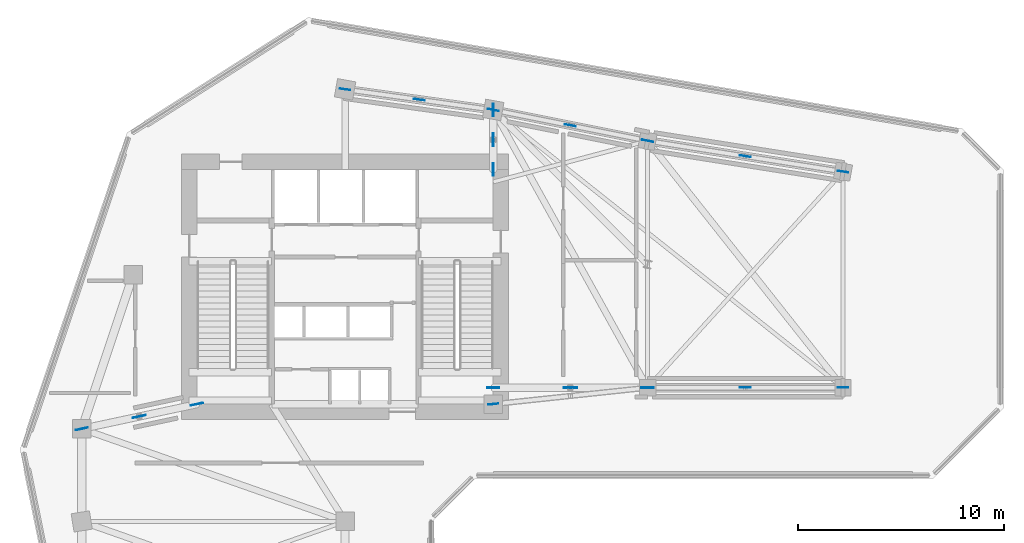
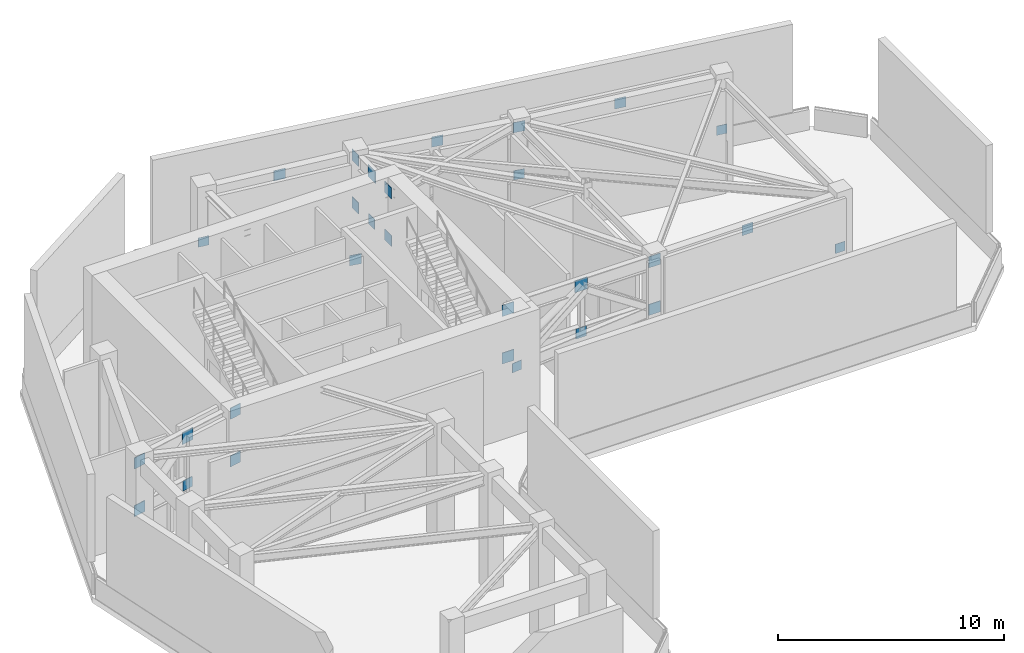
# One storey, part 5 of 10: 29 plates.
"""IFC4 building model written with IfcOpenShell, lengths in metres."""

import ifcopenshell
import ifcopenshell.guid

model = None  # the IFC model being written
_history = None  # IfcOwnerHistory: only IFC2X3 demands one
_inside = {}  # id of a spatial element -> (the spatial element, [elements in it])
_under = {}  # id of a project, library or spatial element -> (it, [spatial elements below it])
_declared = {}  # id of a project -> (the project, [libraries it declares])
_typed = {}  # id of a type object -> (the type object, [elements of that type])
_made_of = {}  # id of a material, layer set ... -> (it, [elements and type objects made of it])


def new_model(schema):
    """Start an empty IFC model of exactly this schema.

    Asked for "IFC4X3", IfcOpenShell would pick the latest addendum, in which some entities
    have other attributes; the version numbers below select the first issue.
    IFC2X3 requires an IfcOwnerHistory on every rooted entity: one is made here for all.
    """
    global model, _history
    if schema == "IFC4X3":
        model = ifcopenshell.file(schema_version=(4, 3, 0, 0))
    else:
        model = ifcopenshell.file(schema=schema)
    _inside.clear()
    _under.clear()
    _declared.clear()
    _typed.clear()
    _made_of.clear()
    _history = None
    if model.schema == "IFC2X3":
        org = make("IfcOrganization", Name="unknown")
        user = make(
            "IfcPersonAndOrganization",
            ThePerson=make("IfcPerson", FamilyName="unknown"),
            TheOrganization=org,
        )
        app = make(
            "IfcApplication",
            ApplicationDeveloper=org,
            Version="unknown",
            ApplicationFullName="unknown",
            ApplicationIdentifier="unknown",
        )
        _history = make(
            "IfcOwnerHistory",
            OwningUser=user,
            OwningApplication=app,
            ChangeAction="ADDED",
            CreationDate=0,
        )
    return model


def make(cls, **values):
    """One entity of the class cls with the attributes given. An attribute that is None is left unset."""
    return model.create_entity(
        cls, **{name: value for name, value in values.items() if value is not None}
    )


def rooted(cls, **values):
    """An entity with a GlobalId (a new one), such as an element, a storey or a relation."""
    return make(cls, GlobalId=ifcopenshell.guid.new(), OwnerHistory=_history, **values)


def si_unit(unit_type, name, prefix=None):
    """IfcSIUnit, for example si_unit("LENGTHUNIT", "METRE", prefix="MILLI")."""
    return make("IfcSIUnit", UnitType=unit_type, Prefix=prefix, Name=name)


def assignment(units):
    """IfcUnitAssignment: the units of a project."""
    return None if units is None else make("IfcUnitAssignment", Units=units)


def point(xyz):
    """IfcCartesianPoint."""
    return None if xyz is None else make("IfcCartesianPoint", Coordinates=xyz)


def direction(xyz):
    """IfcDirection."""
    return None if xyz is None else make("IfcDirection", DirectionRatios=xyz)


def frame(location, z_axis=None, x_axis=None):
    """IfcAxis2Placement3D, a coordinate frame: its origin and axes. An axis left out is left unset."""
    return make(
        "IfcAxis2Placement3D",
        Location=point(location),
        Axis=direction(z_axis),
        RefDirection=direction(x_axis),
    )


def frame_2d(location, x_axis=None):
    """IfcAxis2Placement2D, a coordinate frame in the plane: its origin and x axis."""
    return make(
        "IfcAxis2Placement2D", Location=point(location), RefDirection=direction(x_axis)
    )


def origin():
    """The frame at (0, 0, 0) with its axes left unset."""
    return frame((0.0, 0.0, 0.0))


def origin_2d():
    """The frame at (0, 0) in the plane with its x axis left unset."""
    return frame_2d((0.0, 0.0))


def place(relative_to, where):
    """IfcLocalPlacement: puts the frame where relative to a parent placement (None: the world)."""
    return make(
        "IfcLocalPlacement", PlacementRelTo=relative_to, RelativePlacement=where
    )


def context(
    kind, dimensions, precision=None, world=None, true_north=None, identifier=None
):
    """IfcGeometricRepresentationContext, for example the 3D "Model" context."""
    return make(
        "IfcGeometricRepresentationContext",
        ContextIdentifier=identifier,
        ContextType=kind,
        CoordinateSpaceDimension=dimensions,
        Precision=precision,
        WorldCoordinateSystem=world,
        TrueNorth=true_north,
    )


def subcontext(parent, identifier, kind, view, scale=None):
    """IfcGeometricRepresentationSubContext, for example "Body" below "Model"."""
    return make(
        "IfcGeometricRepresentationSubContext",
        ContextIdentifier=identifier,
        ContextType=kind,
        ParentContext=parent,
        TargetScale=scale,
        TargetView=view,
    )


def project(units=None, contexts=None):
    """IfcProject with its units and contexts."""
    return rooted(
        "IfcProject",
        Name="project",
        RepresentationContexts=contexts,
        UnitsInContext=assignment(units),
    )


def spatial(cls, under=None, at=None, **own):
    """A site, building, storey or space (cls), placed at a placement, below another one or the project."""
    s = rooted(cls, ObjectPlacement=at, **own)
    if under is not None:
        _under.setdefault(under.id(), (under, []))[1].append(s)
    return s


def profile(cls, at=None, kind="AREA", **sizes):
    """A parametric profile (cls). Its sizes go by their IFC names, for example OverallWidth=200.0."""
    return make(cls, ProfileType=kind, Position=at, **sizes)


def rectangle(**sizes):
    """IfcRectangleProfileDef."""
    return profile("IfcRectangleProfileDef", **sizes)


def extrude(swept, where, along, depth):
    """IfcExtrudedAreaSolid: the profile swept, set in the frame where, extruded along a direction by depth."""
    return make(
        "IfcExtrudedAreaSolid",
        SweptArea=swept,
        Position=where,
        ExtrudedDirection=direction(along),
        Depth=depth,
    )


def shape(context_of_items, identifier, shape_type, items):
    """IfcShapeRepresentation: the items that make up one representation, for example the "Body"."""
    return make(
        "IfcShapeRepresentation",
        ContextOfItems=context_of_items,
        RepresentationIdentifier=identifier,
        RepresentationType=shape_type,
        Items=items,
    )


def source(mapping_origin, context_of_items, identifier, shape_type, items):
    """IfcRepresentationMap: a shape defined once, which mapped items show again and again."""
    return make(
        "IfcRepresentationMap",
        MappingOrigin=mapping_origin,
        MappedRepresentation=shape(context_of_items, identifier, shape_type, items),
    )


def transform(
    local_origin,
    x_axis=None,
    y_axis=None,
    z_axis=None,
    scale=None,
    scale2=None,
    scale3=None,
    uniform=True,
):
    """IfcCartesianTransformationOperator3D, or its non-uniform kind. x_axis, y_axis, z_axis: its Axis1, 2, 3."""
    if uniform:
        return make(
            "IfcCartesianTransformationOperator3D",
            Axis1=direction(x_axis),
            Axis2=direction(y_axis),
            LocalOrigin=point(local_origin),
            Scale=scale,
            Axis3=direction(z_axis),
        )
    return make(
        "IfcCartesianTransformationOperator3DnonUniform",
        Axis1=direction(x_axis),
        Axis2=direction(y_axis),
        LocalOrigin=point(local_origin),
        Scale=scale,
        Axis3=direction(z_axis),
        Scale2=scale2,
        Scale3=scale3,
    )


def mapped(mapping_source, mapping_target):
    """IfcMappedItem: shows the shape of a source again, moved by a transform."""
    return make(
        "IfcMappedItem", MappingSource=mapping_source, MappingTarget=mapping_target
    )


def material(Name=None, Category=None):
    """IfcMaterial."""
    return make("IfcMaterial", Name=Name, Category=Category)


def layer(
    of_material, thickness, ventilated=None, Name=None, Category=None, Priority=None
):
    """IfcMaterialLayer: one layer of a wall or slab, of a material (None: an air gap)."""
    return make(
        "IfcMaterialLayer",
        Material=of_material,
        LayerThickness=thickness,
        IsVentilated=ventilated,
        Name=Name,
        Category=Category,
        Priority=Priority,
    )


def layer_set(layers, Name=None):
    """IfcMaterialLayerSet."""
    return make("IfcMaterialLayerSet", MaterialLayers=layers, LayerSetName=Name)


def made_of(thing, what):
    """Note that an element or type object is made of a material, layer set ...; save() writes the relation."""
    if what is not None:
        _made_of.setdefault(what.id(), (what, []))[1].append(thing)
    return thing


def type_object(cls, material=None, **own):
    """A type object (cls), such as IfcWallType, which elements share."""
    return made_of(rooted(cls, **own), material)


def element(
    cls,
    number,
    at=None,
    inside=None,
    cuts=None,
    type_object=None,
    material=None,
    context=None,
    identifier="Body",
    shape_type=None,
    held_by="IfcProductDefinitionShape",
    body=None,
    shapes=None,
    **own,
):
    """One element of the class cls, such as IfcWall. Its Tag is "e" and its number.

    at: its placement. inside: the storey or other place that contains it. cuts: it is an
    opening in that element (IfcRelVoidsElement). A single representation is given by context,
    identifier, shape_type and body (its items); several are given by shapes. held_by: the class
    of the entity that holds the representations. save() writes the other relations.
    """
    e = rooted(cls, Tag="e%d" % number, ObjectPlacement=at, **own)
    if body is not None:
        shapes = [shape(context, identifier, shape_type, body)]
    if shapes is not None:
        e.Representation = make(held_by, Representations=shapes)
    if inside is not None:
        _inside.setdefault(inside.id(), (inside, []))[1].append(e)
    if cuts is not None:
        rooted(
            "IfcRelVoidsElement", RelatingBuildingElement=cuts, RelatedOpeningElement=e
        )
    if type_object is not None:
        _typed.setdefault(type_object.id(), (type_object, []))[1].append(e)
    return made_of(e, material)


def aggregate(whole, parts):
    """IfcRelAggregates: a whole, such as a stair, and the parts it consists of."""
    return rooted("IfcRelAggregates", RelatingObject=whole, RelatedObjects=parts)


def save(model, path):
    """Write the relations noted so far, then the file.

    IfcRelAggregates (storeys below a building ...), IfcRelContainedInSpatialStructure (elements
    in a storey), IfcRelDefinesByType, IfcRelAssociatesMaterial and IfcRelDeclares: one each for
    every whole, place, type object, material and project.
    """
    for whole, parts in _under.values():
        aggregate(whole, parts)
    for where, things in _inside.values():
        rooted(
            "IfcRelContainedInSpatialStructure",
            RelatedElements=things,
            RelatingStructure=where,
        )
    for kind, things in _typed.values():
        rooted("IfcRelDefinesByType", RelatedObjects=things, RelatingType=kind)
    for what, things in _made_of.values():
        rooted("IfcRelAssociatesMaterial", RelatedObjects=things, RelatingMaterial=what)
    for by, libraries in _declared.values():
        rooted("IfcRelDeclares", RelatingContext=by, RelatedDefinitions=libraries)
    model.write(path)


model = new_model("IFC4")

# Units and contexts
model_context = context("Model", 3, precision=1e-05, world=origin(), true_north=direction((0.0, 1.0)))
body_context = subcontext(model_context, "Body", "Model", "MODEL_VIEW")
ifc_project = project(units=[si_unit("LENGTHUNIT", "METRE"), si_unit("AREAUNIT", "SQUARE_METRE"), si_unit("VOLUMEUNIT", "CUBIC_METRE"), si_unit("PLANEANGLEUNIT", "RADIAN"), si_unit("MASSUNIT", "GRAM", prefix="KILO")], contexts=[model_context])

# Site, building, storey
site_placement = place(None, origin())
site = spatial("IfcSite", under=ifc_project, at=site_placement, CompositionType="ELEMENT")
building_placement = place(site_placement, origin())
building = spatial("IfcBuilding", under=site, at=building_placement, Name="Calvemar Wedge Station Tower", CompositionType="ELEMENT")
storey_placement = place(building_placement, frame((0.0, 0.0, 171.800048828125)))
storey = spatial("IfcBuildingStorey", under=building, at=storey_placement, Name="L43", CompositionType="ELEMENT", Elevation=171.800048828125)

# Plates
ifc_material = material(Name="Structural steel ASTM A572 Grade 50", Category="steel")
ifc_layer_1 = layer(ifc_material, 0.031982421875)
ifc_layer_set_1 = layer_set([ifc_layer_1], Name="Structural steel ASTM A572 Grade 50")
plate_type_1 = type_object("IfcPlateType", Name="PL-NP-32", PredefinedType="USERDEFINED", material=ifc_layer_set_1)
shared_shape_1 = source(origin(), body_context, "Body", "SweptSolid", [
    extrude(rectangle(XDim=0.64990234375, YDim=0.031982421875, at=origin_2d()), origin(), (0.0, 0.0, 1.0), 0.64990234375),
])
for number, where, z_axis, x_axis, name in (
    (1, (34.75, 35.0, 5.388427734375), (0.0, 0.0, 1.0), (1.0, 0.0, 0.0), "L43 Outrigger OT-E Gusset Plate"),
    (2, (13.800048828125, 33.60009765625, 5.388427734375), (0.0, 0.0, 1.0), (-0.977819807207, -0.209447904343, 0.0), "L43 Outrigger OT-W Gusset Plate"),
    (3, (31.0, 47.050048828125, 5.388427734375), (0.0, 0.0, 1.0), (0.0, 1.0, 0.0), "L43 Outrigger OT-N Gusset Plate"),
):
    element("IfcPlate", number, at=place(storey_placement, frame(where, z_axis=z_axis, x_axis=x_axis)), inside=storey, type_object=plate_type_1, Name=name, ObjectType="GUSSET PLATE", PredefinedType="USERDEFINED", context=body_context, shape_type="MappedRepresentation", body=[
        mapped(shared_shape_1, transform((0.0, 0.0, 0.0), scale=1.0)),
    ])
shared_shape_2 = source(origin(), body_context, "Body", "SweptSolid", [
    extrude(rectangle(XDim=0.60009765625, YDim=0.031982421875, at=origin_2d()), origin(), (0.0, 0.0, 1.0), 0.60009765625),
])
for number, where, z_axis, x_axis, name in (
    (4, (31.0, 35.0, 2.83642578125), (0.0, 0.0, 1.0), (1.0, 0.0, 0.0), "L43 Outrigger OT-E Core Gusset Plate"),
    (5, (31.0, 35.0, 5.413330078125), (0.0, 0.0, 1.0), (1.0, 0.0, 0.0), "L43 Outrigger OT-E Core Top Embed Plate"),
    (6, (38.5, 35.0, 2.83642578125), (0.0, 0.0, 1.0), (1.0, 0.0, 0.0), "L43 Outrigger OT-E Column Gusset Plate"),
    (7, (38.5, 35.0, 5.413330078125), (0.0, 0.0, 1.0), (1.0, 0.0, 0.0), "L43 Outrigger OT-E Column Top Gusset Plate"),
    (8, (16.60009765625, 34.199951171875, 2.83642578125), (0.0, 0.0, 1.0), (-0.977819807207, -0.209447904343, 0.0), "L43 Outrigger OT-W Core Gusset Plate"),
    (9, (16.60009765625, 34.199951171875, 5.413330078125), (0.0, 0.0, 1.0), (-0.977819807207, -0.209447904343, 0.0), "L43 Outrigger OT-W Core Top Embed Plate"),
    (10, (11.0, 33.0, 2.83642578125), (0.0, 0.0, 1.0), (-0.977819807207, -0.209447904343, 0.0), "L43 Outrigger OT-W Column Gusset Plate"),
    (11, (11.0, 33.0, 5.413330078125), (0.0, 0.0, 1.0), (-0.977819807207, -0.209447904343, 0.0), "L43 Outrigger OT-W Column Top Gusset Plate"),
    (12, (31.0, 45.60009765625, 2.83642578125), (0.0, 0.0, 1.0), (0.0, 1.0, 0.0), "L43 Outrigger OT-N Core Gusset Plate"),
    (13, (31.0, 45.60009765625, 5.413330078125), (0.0, 0.0, 1.0), (0.0, 1.0, 0.0), "L43 Outrigger OT-N Core Top Embed Plate"),
    (14, (31.0, 48.5, 2.83642578125), (0.0, 0.0, 1.0), (0.0, 1.0, 0.0), "L43 Outrigger OT-N Column Gusset Plate"),
    (15, (31.0, 48.5, 5.413330078125), (0.0, 0.0, 1.0), (0.0, 1.0, 0.0), "L43 Outrigger OT-N Column Top Gusset Plate"),
):
    element("IfcPlate", number, at=place(storey_placement, frame(where, z_axis=z_axis, x_axis=x_axis)), inside=storey, type_object=plate_type_1, Name=name, ObjectType="GUSSET PLATE", PredefinedType="USERDEFINED", context=body_context, shape_type="MappedRepresentation", body=[
        mapped(shared_shape_2, transform((0.0, 0.0, 0.0), scale=1.0)),
    ])
ifc_layer_2 = layer(ifc_material, 0.02490234375)
ifc_layer_set_2 = layer_set([ifc_layer_2], Name="Structural steel ASTM A572 Grade 50")
plate_type_2 = type_object("IfcPlateType", Name="PL-NP-25", PredefinedType="USERDEFINED", material=ifc_layer_set_2)
shared_shape_3 = source(origin(), body_context, "Body", "SweptSolid", [
    extrude(rectangle(XDim=0.550048828125, YDim=0.02490234375, at=origin_2d()), origin(), (0.0, 0.0, 1.0), 0.550048828125),
])
for number, where, z_axis, x_axis, name in (
    (16, (31.0, 48.5, -0.0751953125), (0.0, 0.0, 1.0), (0.980580444557, -0.196117290802, 0.0), "L43 Shift Strut Base Gusset"),
    (17, (38.5, 47.0, 5.39990234375), (0.0, 0.0, 1.0), (0.980580444557, -0.196117290802, 0.0), "L43 Shift Strut Head Gusset"),
    (18, (34.75, 35.0, 2.861328125), (0.0, 0.0, 1.0), (1.0, 0.0, 0.0), "L43 Outrigger OT-E Mid Gusset Plate"),
    (19, (13.800048828125, 33.60009765625, 2.861328125), (0.0, 0.0, 1.0), (-0.977819807207, -0.209447904343, 0.0), "L43 Outrigger OT-W Mid Gusset Plate"),
    (20, (31.0, 47.050048828125, 2.861328125), (0.0, 0.0, 1.0), (0.0, 1.0, 0.0), "L43 Outrigger OT-N Mid Gusset Plate"),
    (21, (27.39990234375, 49.0, 5.48095703125), (0.0, 0.0, 1.0), (0.990485459553, -0.137617420457, 0.0), "L43 Belt Truss Node Plate 1"),
    (22, (34.75, 47.75, 5.48095703125), (0.0, 0.0, 1.0), (0.980580444557, -0.196117290802, 0.0), "L43 Belt Truss Node Plate 2"),
    (23, (43.25, 46.25, 5.48095703125), (0.0, 0.0, 1.0), (0.987770114096, -0.155917291214, 0.0), "L43 Belt Truss Node Plate 3"),
    (24, (43.25, 35.0, 5.48095703125), (0.0, 0.0, 1.0), (1.0, 0.0, 0.0), "L43 Belt Truss Node Plate 5"),
):
    element("IfcPlate", number, at=place(storey_placement, frame(where, z_axis=z_axis, x_axis=x_axis)), inside=storey, type_object=plate_type_2, Name=name, ObjectType="GUSSET PLATE", PredefinedType="USERDEFINED", context=body_context, shape_type="MappedRepresentation", body=[
        mapped(shared_shape_3, transform((0.0, 0.0, 0.0), scale=1.0)),
    ])
shared_shape_4 = source(origin(), body_context, "Body", "SweptSolid", [
    extrude(rectangle(XDim=0.5, YDim=0.02490234375, at=origin_2d()), origin(), (0.0, 0.0, 1.0), 0.5),
])
for number, where, z_axis, x_axis, name in (
    (25, (23.800048828125, 49.5, 2.843994140625), (0.0, 0.0, 1.0), (0.990485459553, -0.137617420457, 0.0), "L43 Belt Truss End Plate 1L"),
    (26, (38.5, 47.0, 2.843994140625), (0.0, 0.0, 1.0), (0.980580444557, -0.196117290802, 0.0), "L43 Belt Truss End Plate 2R"),
    (27, (48.0, 45.5, 2.843994140625), (0.0, 0.0, 1.0), (0.987770114096, -0.155917291214, 0.0), "L43 Belt Truss End Plate 3R"),
    (28, (31.0, 34.199951171875, 2.843994140625), (0.0, 0.0, 1.0), (0.994356475568, 0.106090525009, 0.0), "L43 Belt Truss End Plate 4L"),
    (29, (48.0, 35.0, 2.843994140625), (0.0, 0.0, 1.0), (1.0, 0.0, 0.0), "L43 Belt Truss End Plate 5R"),
):
    element("IfcPlate", number, at=place(storey_placement, frame(where, z_axis=z_axis, x_axis=x_axis)), inside=storey, type_object=plate_type_2, Name=name, ObjectType="GUSSET PLATE", PredefinedType="USERDEFINED", context=body_context, shape_type="MappedRepresentation", body=[
        mapped(shared_shape_4, transform((0.0, 0.0, 0.0), scale=1.0)),
    ])

save(model, "model.ifc")
